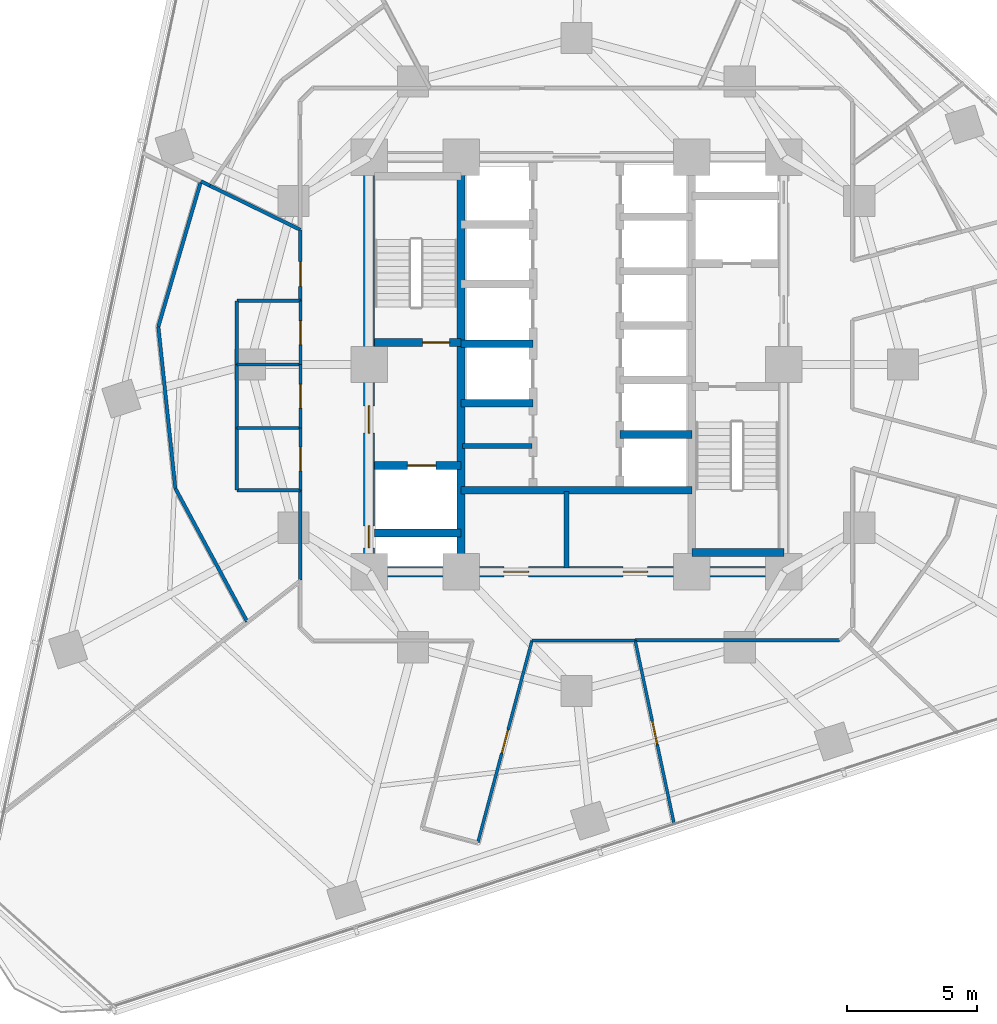
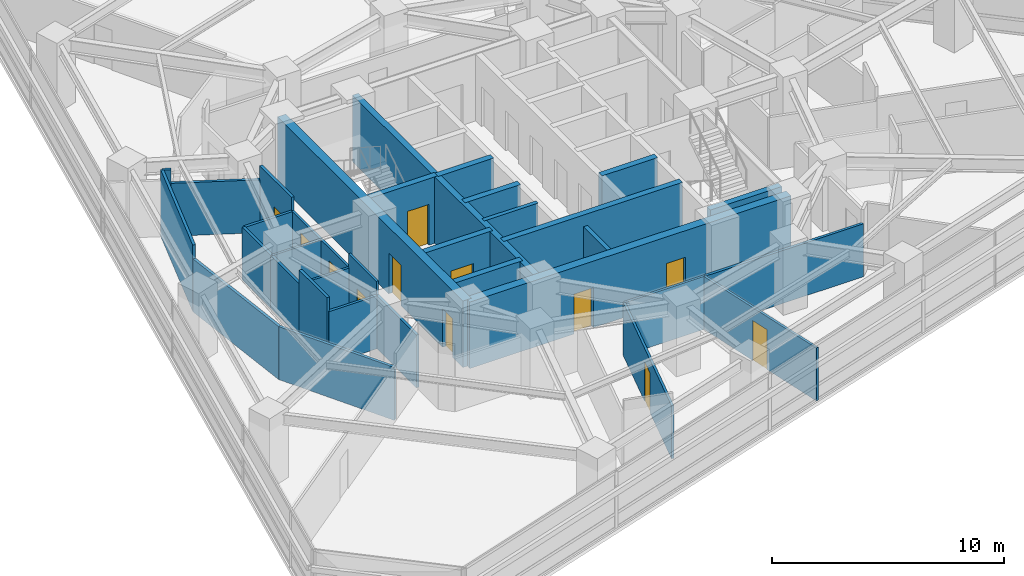
# One storey, part 7 of 13: 34 walls, 12 doors, 12 openings.
"""IFC4 building model written with IfcOpenShell, lengths in metres."""

from ifc_helpers import new_model, si_unit, direction, frame, frame_2d, origin, place, context, subcontext, project, spatial, rectangle, extrude, material, layer, layer_set, type_object, element, fill, save


model = new_model("IFC4")

# Units and contexts
model_context = context("Model", 3, precision=1e-05, world=origin(), true_north=direction((0.0, 1.0)))
body_context = subcontext(model_context, "Body", "Model", "MODEL_VIEW")
ifc_project = project(units=[si_unit("LENGTHUNIT", "METRE"), si_unit("AREAUNIT", "SQUARE_METRE"), si_unit("VOLUMEUNIT", "CUBIC_METRE"), si_unit("PLANEANGLEUNIT", "RADIAN"), si_unit("MASSUNIT", "GRAM", prefix="KILO")], contexts=[model_context])

# Site, building, storey
site_placement = place(None, origin())
site = spatial("IfcSite", under=ifc_project, at=site_placement, CompositionType="ELEMENT")
building_placement = place(site_placement, origin())
building = spatial("IfcBuilding", under=site, at=building_placement, Name="Terralouvre Media Tower", CompositionType="ELEMENT")
storey_placement = place(building_placement, frame((0.0, 0.0, 101.39990234375)))
storey = spatial("IfcBuildingStorey", under=building, at=storey_placement, Name="L25", CompositionType="ELEMENT", Elevation=101.39990234375)

# Wall
ifc_material_1 = material(Name="Concrete C50/60", Category="concrete")
ifc_layer_1 = layer(ifc_material_1, 0.300048828125, Name="Core Internal Shaft Wall CW-300")
ifc_layer_set_1 = layer_set([ifc_layer_1], Name="Concrete C50/60")
wall_type_1 = type_object("IfcWallType", Name="Core Internal Shaft Wall CW-300", PredefinedType="SHEAR", material=ifc_layer_set_1)
wall_1_placement = place(storey_placement, frame((-4.449951171875, -7.7900390625, 0.0), z_axis=(0.0, 0.0, 1.0), x_axis=(0.0, 1.0, 0.0)))
element("IfcWall", 1, at=wall_1_placement, inside=storey, type_object=wall_type_1, Name="L25 Core Shaft Wall SPW", PredefinedType="SHEAR", context=body_context, shape_type="SweptSolid", body=[
    extrude(rectangle(XDim=15.580078125, YDim=0.300048828125, at=frame_2d((7.7900390625, 0.0))), origin(), (0.0, 0.0, 1.0), 3.5),
])

# Wall, opening, door
wall_2_placement = place(storey_placement, frame((-7.7900390625, 0.85009765625, 0.0), z_axis=(0.0, 0.0, 1.0), x_axis=(1.0, 0.0, 0.0)))
wall_2 = element("IfcWall", 2, at=wall_2_placement, inside=storey, type_object=wall_type_1, Name="L25 Core Shaft Wall ST1D", PredefinedType="SHEAR", context=body_context, shape_type="SweptSolid", body=[
    extrude(rectangle(XDim=3.340087890625, YDim=0.300048828125, at=frame_2d((1.669921875, 0.0))), origin(), (0.0, 0.0, 1.0), 3.5),
])
opening_1_placement = place(wall_2_placement, frame((1.85009765625, 0.0, 0.0)))
opening_1 = element("IfcOpeningElement", 3, at=opening_1_placement, cuts=wall_2, Name="Opening FD-01-105X215", PredefinedType="OPENING", context=body_context, shape_type="SweptSolid", body=[
    extrude(rectangle(XDim=1.050048828125, YDim=2.14990234375, at=frame_2d((0.52490234375, 1.074951171875))), frame((0.0, 0.159912109375, 0.0), z_axis=(0.0, -1.0, 0.0), x_axis=(1.0, 0.0, 0.0)), (0.0, 0.0, 1.0), 0.320068359375),
])
ifc_material_2 = material(Name="Galvanised steel fire-resisting leaf", Category="steel")
door_type_1 = type_object("IfcDoorType", Name="Stair and Firefighting Lobby Fire Door FD-01 (1050x2150)", OperationType="NOTDEFINED", PredefinedType="DOOR", material=ifc_material_2)
door_1_placement = place(opening_1_placement, origin())
door_1 = element("IfcDoor", 4, at=door_1_placement, inside=storey, type_object=door_type_1, Name="L25 ST-01 Exit Stair Door", OperationType="SINGLE_SWING_LEFT", OverallHeight=2.14990234375, OverallWidth=1.050048828125, PredefinedType="DOOR", context=body_context, shape_type="SweptSolid", body=[
    extrude(rectangle(XDim=1.050048828125, YDim=2.14990234375, at=frame_2d((0.52490234375, 1.074951171875))), frame((0.0, 0.02490234375, 0.0), z_axis=(0.0, -1.0, 0.0), x_axis=(1.0, 0.0, 0.0)), (0.0, 0.0, 1.0), 0.050048828125),
])
fill(opening_1, door_1)

# Wall
wall_3_placement = place(storey_placement, frame((4.449951171875, -7.260009765625, 0.0), z_axis=(0.0, 0.0, 1.0), x_axis=(1.0, 0.0, 0.0)))
element("IfcWall", 5, at=wall_3_placement, inside=storey, type_object=wall_type_1, Name="L25 Core Shaft Wall ST2F", PredefinedType="SHEAR", context=body_context, shape_type="SweptSolid", body=[
    extrude(rectangle(XDim=3.550048828125, YDim=0.300048828125, at=frame_2d((1.77490234375, 0.0))), origin(), (0.0, 0.0, 1.0), 3.5),
])

# Wall, opening, door
wall_4_placement = place(storey_placement, frame((-7.7900390625, -3.89990234375, 0.0), z_axis=(0.0, 0.0, 1.0), x_axis=(1.0, 0.0, 0.0)))
wall_4 = element("IfcWall", 6, at=wall_4_placement, inside=storey, type_object=wall_type_1, Name="L25 Core Shaft Wall FF1N", PredefinedType="SHEAR", context=body_context, shape_type="SweptSolid", body=[
    extrude(rectangle(XDim=3.340087890625, YDim=0.300048828125, at=frame_2d((1.669921875, 0.0))), origin(), (0.0, 0.0, 1.0), 3.5),
])
opening_2_placement = place(wall_4_placement, frame((1.27001953125, 0.0, 0.0)))
opening_2 = element("IfcOpeningElement", 7, at=opening_2_placement, cuts=wall_4, Name="Opening LD-FF", PredefinedType="OPENING", context=body_context, shape_type="SweptSolid", body=[
    extrude(rectangle(XDim=1.10009765625, YDim=2.10009765625, at=frame_2d((0.550048828125, 1.050048828125))), frame((0.0, 0.159912109375, 0.0), z_axis=(0.0, -1.0, 0.0), x_axis=(1.0, 0.0, 0.0)), (0.0, 0.0, 1.0), 0.320068359375),
])
ifc_material_3 = material(Name="Stainless steel 316 handrail and balustrade", Category="steel")
door_type_2 = type_object("IfcDoorType", Name="Firefighting Lift Sliding Landing Door LD-FF", OperationType="SLIDING_TO_LEFT", PredefinedType="DOOR", material=ifc_material_3)
door_2_placement = place(opening_2_placement, origin())
door_2 = element("IfcDoor", 8, at=door_2_placement, inside=storey, type_object=door_type_2, Name="L25 Firefighting Lift FFL-01 Landing Door", OperationType="SLIDING_TO_LEFT", OverallHeight=2.10009765625, OverallWidth=1.10009765625, PredefinedType="DOOR", context=body_context, shape_type="SweptSolid", body=[
    extrude(rectangle(XDim=1.10009765625, YDim=2.10009765625, at=frame_2d((0.550048828125, 1.050048828125))), frame((0.0, 0.02490234375, 0.0), z_axis=(0.0, -1.0, 0.0), x_axis=(1.0, 0.0, 0.0)), (0.0, 0.0, 1.0), 0.050048828125),
])
fill(opening_2, door_2)

# Walls
wall_5_placement = place(storey_placement, frame((-7.7900390625, -6.5, 0.0), z_axis=(0.0, 0.0, 1.0), x_axis=(1.0, 0.0, 0.0)))
element("IfcWall", 9, at=wall_5_placement, inside=storey, type_object=wall_type_1, Name="L25 Core Shaft Wall FF1S", PredefinedType="SHEAR", context=body_context, shape_type="SweptSolid", body=[
    extrude(rectangle(XDim=3.340087890625, YDim=0.300048828125, at=frame_2d((1.669921875, 0.0))), origin(), (0.0, 0.0, 1.0), 3.5),
])
wall_6_placement = place(storey_placement, frame((-4.449951171875, -4.85009765625, 0.0), z_axis=(0.0, 0.0, 1.0), x_axis=(1.0, 0.0, 0.0)))
element("IfcWall", 10, at=wall_6_placement, inside=storey, type_object=wall_type_1, Name="L25 Core Shaft Wall CSBN", PredefinedType="SHEAR", context=body_context, shape_type="SweptSolid", body=[
    extrude(rectangle(XDim=8.89990234375, YDim=0.300048828125, at=frame_2d((4.449951171875, 0.0))), origin(), (0.0, 0.0, 1.0), 3.5),
])
for number, where, z_axis, x_axis, name in (
    (11, (-4.449951171875, -1.5, 0.0), (0.0, 0.0, 1.0), (1.0, 0.0, 0.0), "L25 Core Shaft Wall PLLD0"),
    (12, (-4.449951171875, 0.800048828125, 0.0), (0.0, 0.0, 1.0), (1.0, 0.0, 0.0), "L25 Core Shaft Wall PLLD1"),
    (13, (1.679931640625, -2.699951171875, 0.0), (0.0, 0.0, 1.0), (1.0, 0.0, 0.0), "L25 Core Shaft Wall PLHD1"),
):
    element("IfcWall", number, at=place(storey_placement, frame(where, z_axis=z_axis, x_axis=x_axis)), inside=storey, type_object=wall_type_1, Name=name, PredefinedType="SHEAR", context=body_context, shape_type="SweptSolid", body=[
        extrude(rectangle(XDim=2.77001953125, YDim=0.300048828125, at=frame_2d((1.385009765625, 0.0))), origin(), (0.0, 0.0, 1.0), 3.5),
    ])

# Wall, openings, doors
ifc_material_4 = material(Name="Concrete C60/75", Category="concrete")
ifc_layer_2 = layer(ifc_material_4, 0.419921875, Name="Core Reinforced Concrete Shear Wall CW-420")
ifc_layer_set_2 = layer_set([ifc_layer_2], Name="Concrete C60/75")
wall_type_2 = type_object("IfcWallType", Name="Core Reinforced Concrete Shear Wall CW-420", PredefinedType="SHEAR", material=ifc_layer_set_2)
wall_7_placement = place(storey_placement, frame((-8.0, -8.0, 0.0), z_axis=(0.0, 0.0, 1.0), x_axis=(0.0, 1.0, 0.0)))
wall_7 = element("IfcWall", 14, at=wall_7_placement, inside=storey, type_object=wall_type_2, Name="L25 W Core Shear Wall", PredefinedType="SHEAR", context=body_context, shape_type="SweptSolid", body=[
    extrude(rectangle(XDim=16.0, YDim=0.419921875, at=frame_2d((8.0, 0.0))), origin(), (0.0, 0.0, 1.0), 3.5),
])
opening_3_placement = place(wall_7_placement, frame((0.921630859375, 0.0, 0.0)))
opening_3 = element("IfcOpeningElement", 15, at=opening_3_placement, cuts=wall_7, Name="Opening TD-R1", PredefinedType="OPENING", context=body_context, shape_type="SweptSolid", body=[
    extrude(rectangle(XDim=0.85009765625, YDim=2.02001953125, at=frame_2d((0.425048828125, 1.010009765625))), frame((0.0, 0.219970703125, 0.0), z_axis=(0.0, -1.0, 0.0), x_axis=(1.0, 0.0, 0.0)), (0.0, 0.0, 1.0), 0.43994140625),
])
opening_4_placement = place(wall_7_placement, frame((5.35009765625, 0.0, 0.0)))
opening_4 = element("IfcOpeningElement", 16, at=opening_4_placement, cuts=wall_7, Name="Opening FD-01-105X215", PredefinedType="OPENING", context=body_context, shape_type="SweptSolid", body=[
    extrude(rectangle(XDim=1.050048828125, YDim=2.14990234375, at=frame_2d((0.52490234375, 1.074951171875))), frame((0.0, 0.219970703125, 0.0), z_axis=(0.0, -1.0, 0.0), x_axis=(1.0, 0.0, 0.0)), (0.0, 0.0, 1.0), 0.43994140625),
])
ifc_material_5 = material(Name="Galvanised steel fire-resisting leaf", Category="steel")
door_type_3 = type_object("IfcDoorType", Name="Riser Inspection Access Trapdoor TD-R1", OperationType="NOTDEFINED", PredefinedType="TRAPDOOR", material=ifc_material_5)
door_3_placement = place(opening_3_placement, origin())
door_3 = element("IfcDoor", 17, at=door_3_placement, inside=storey, type_object=door_type_3, Name="L25 Wet Riser Access Trapdoor", OperationType="SINGLE_SWING_LEFT", OverallHeight=2.02001953125, OverallWidth=0.85009765625, PredefinedType="TRAPDOOR", context=body_context, shape_type="SweptSolid", body=[
    extrude(rectangle(XDim=0.85009765625, YDim=2.02001953125, at=frame_2d((0.425048828125, 1.010009765625))), frame((0.0, 0.02490234375, 0.0), z_axis=(0.0, -1.0, 0.0), x_axis=(1.0, 0.0, 0.0)), (0.0, 0.0, 1.0), 0.050048828125),
])
fill(opening_3, door_3)
door_4_placement = place(opening_4_placement, origin())
door_4 = element("IfcDoor", 18, at=door_4_placement, inside=storey, type_object=door_type_1, Name="L25 West Firefighting Lobby Entry Door", OperationType="SINGLE_SWING_RIGHT", OverallHeight=2.14990234375, OverallWidth=1.050048828125, PredefinedType="DOOR", context=body_context, shape_type="SweptSolid", body=[
    extrude(rectangle(XDim=1.050048828125, YDim=2.14990234375, at=frame_2d((0.52490234375, 1.074951171875))), frame((0.0, 0.02490234375, 0.0), z_axis=(0.0, -1.0, 0.0), x_axis=(1.0, 0.0, 0.0)), (0.0, 0.0, 1.0), 0.050048828125),
])
fill(opening_4, door_4)

wall_8_placement = place(storey_placement, frame((-8.0, -8.0, 0.0), z_axis=(0.0, 0.0, 1.0), x_axis=(1.0, 0.0, 0.0)))
wall_8 = element("IfcWall", 19, at=wall_8_placement, inside=storey, type_object=wall_type_2, Name="L25 S Core Shear Wall", PredefinedType="SHEAR", context=body_context, shape_type="SweptSolid", body=[
    extrude(rectangle(XDim=16.0, YDim=0.419921875, at=frame_2d((8.0, 0.0))), origin(), (0.0, 0.0, 1.0), 3.5),
])
opening_5_placement = place(wall_8_placement, frame((5.199951171875, 0.0, 0.0)))
opening_5 = element("IfcOpeningElement", 20, at=opening_5_placement, cuts=wall_8, Name="Opening FD-02-95X210", PredefinedType="OPENING", context=body_context, shape_type="SweptSolid", body=[
    extrude(rectangle(XDim=0.949951171875, YDim=2.10009765625, at=frame_2d((0.47509765625, 1.050048828125))), frame((0.0, 0.219970703125, 0.0), z_axis=(0.0, -1.0, 0.0), x_axis=(1.0, 0.0, 0.0)), (0.0, 0.0, 1.0), 0.43994140625),
])
opening_6_placement = place(wall_8_placement, frame((9.800048828125, 0.0, 0.0)))
opening_6 = element("IfcOpeningElement", 21, at=opening_6_placement, cuts=wall_8, Name="Opening FD-02-95X210", PredefinedType="OPENING", context=body_context, shape_type="SweptSolid", body=[
    extrude(rectangle(XDim=0.949951171875, YDim=2.10009765625, at=frame_2d((0.47509765625, 1.050048828125))), frame((0.0, 0.219970703125, 0.0), z_axis=(0.0, -1.0, 0.0), x_axis=(1.0, 0.0, 0.0)), (0.0, 0.0, 1.0), 0.43994140625),
])
ifc_material_6 = material(Name="Galvanised steel fire-resisting leaf", Category="steel")
door_type_4 = type_object("IfcDoorType", Name="Plant and Riser Fire Door FD-02 (950x2100)", OperationType="NOTDEFINED", PredefinedType="DOOR", material=ifc_material_6)
door_5_placement = place(opening_5_placement, origin())
door_5 = element("IfcDoor", 22, at=door_5_placement, inside=storey, type_object=door_type_4, Name="L25 Core Valve Plant Door", OperationType="SINGLE_SWING_LEFT", OverallHeight=2.10009765625, OverallWidth=0.949951171875, PredefinedType="DOOR", context=body_context, shape_type="SweptSolid", body=[
    extrude(rectangle(XDim=0.949951171875, YDim=2.10009765625, at=frame_2d((0.47509765625, 1.050048828125))), frame((0.0, 0.02490234375, 0.0), z_axis=(0.0, -1.0, 0.0), x_axis=(1.0, 0.0, 0.0)), (0.0, 0.0, 1.0), 0.050048828125),
])
fill(opening_5, door_5)
door_6_placement = place(opening_6_placement, origin())
door_6 = element("IfcDoor", 23, at=door_6_placement, inside=storey, type_object=door_type_4, Name="L25 Core MDF Plant Door", OperationType="SINGLE_SWING_RIGHT", OverallHeight=2.10009765625, OverallWidth=0.949951171875, PredefinedType="DOOR", context=body_context, shape_type="SweptSolid", body=[
    extrude(rectangle(XDim=0.949951171875, YDim=2.10009765625, at=frame_2d((0.47509765625, 1.050048828125))), frame((0.0, 0.02490234375, 0.0), z_axis=(0.0, -1.0, 0.0), x_axis=(1.0, 0.0, 0.0)), (0.0, 0.0, 1.0), 0.050048828125),
])
fill(opening_6, door_6)

# Walls
ifc_material_7 = material(Name="Fire-rated gypsum board drywall partition")
ifc_layer_3 = layer(ifc_material_7, 0.199951171875, Name="Fire-Rated Shaft and Lobby Partition FW-200")
ifc_layer_set_3 = layer_set([ifc_layer_3], Name="Fire-rated gypsum board drywall partition")
wall_type_3 = type_object("IfcWallType", Name="Fire-Rated Shaft and Lobby Partition FW-200", PredefinedType="SOLIDWALL", material=ifc_layer_set_3)
wall_9_placement = place(storey_placement, frame((-0.3798828125, -7.85009765625, 0.0), z_axis=(0.0, 0.0, 1.0), x_axis=(0.0, 1.0, 0.0)))
element("IfcWall", 24, at=wall_9_placement, inside=storey, type_object=wall_type_3, Name="L25 Core Service Bay Partition 1", PredefinedType="SOLIDWALL", context=body_context, shape_type="SweptSolid", body=[
    extrude(rectangle(XDim=2.9501953125, YDim=0.199951171875, at=frame_2d((1.47509765625, 0.0))), origin(), (0.0, 0.0, 1.0), 2.885009765625),
])
wall_10_placement = place(storey_placement, frame((-4.39990234375, -3.139892578125, 0.0), z_axis=(0.0, 0.0, 1.0), x_axis=(1.0, 0.0, 0.0)))
element("IfcWall", 25, at=wall_10_placement, inside=storey, type_object=wall_type_3, Name="L25 Core West Sub-Partition 1", PredefinedType="SOLIDWALL", context=body_context, shape_type="SweptSolid", body=[
    extrude(rectangle(XDim=2.679931640625, YDim=0.199951171875, at=frame_2d((1.33984375, 0.0))), origin(), (0.0, 0.0, 1.0), 3.5),
])
ifc_material_8 = material(Name="Fire-rated gypsum board drywall partition")
ifc_layer_4 = layer(ifc_material_8, 0.135009765625, Name="Newsroom Acoustic Partition PT-135")
ifc_layer_set_4 = layer_set([ifc_layer_4], Name="Fire-rated gypsum board drywall partition")
wall_type_4 = type_object("IfcWallType", Name="Newsroom Acoustic Partition PT-135", PredefinedType="PARTITIONING", material=ifc_layer_set_4)
wall_11_placement = place(storey_placement, frame((-10.64990234375, -4.85009765625, 0.0), z_axis=(0.0, 0.0, 1.0), x_axis=(0.0, -1.0, 0.0)))
element("IfcWall", 26, at=wall_11_placement, inside=storey, type_object=wall_type_4, Name="L25 Interior Partition 021", PredefinedType="PARTITIONING", context=body_context, shape_type="SweptSolid", body=[
    extrude(rectangle(XDim=3.470947265625, YDim=0.135009765625, at=frame_2d((1.7353515625, 0.0))), origin(), (0.0, 0.0, 1.0), 2.78515625),
])

# Wall, opening, door
wall_12_placement = place(storey_placement, frame((-10.64990234375, 5.194091796875, 0.0), z_axis=(0.0, 0.0, 1.0), x_axis=(0.0, -1.0, 0.0)))
wall_12 = element("IfcWall", 27, at=wall_12_placement, inside=storey, type_object=wall_type_4, Name="L25 Interior Partition 022", PredefinedType="PARTITIONING", context=body_context, shape_type="SweptSolid", body=[
    extrude(rectangle(XDim=2.744140625, YDim=0.135009765625, at=frame_2d((1.3720703125, 0.0))), origin(), (0.0, 0.0, 1.0), 3.5),
])
opening_7_placement = place(wall_12_placement, frame((1.226318359375, 0.0, 0.0)))
opening_7 = element("IfcOpeningElement", 28, at=opening_7_placement, cuts=wall_12, Name="Opening ID-02-95X210", PredefinedType="OPENING", context=body_context, shape_type="SweptSolid", body=[
    extrude(rectangle(XDim=0.949951171875, YDim=2.10009765625, at=frame_2d((0.47509765625, 1.050048828125))), frame((0.0, 0.077392578125, 0.0), z_axis=(0.0, -1.0, 0.0), x_axis=(1.0, 0.0, 0.0)), (0.0, 0.0, 1.0), 0.155029296875),
])
ifc_material_9 = material(Name="Engineered hardwood acoustic timber leaf", Category="wood")
door_type_5 = type_object("IfcDoorType", Name="Office and Meeting Room Door ID-02 (950x2100)", OperationType="NOTDEFINED", PredefinedType="DOOR", material=ifc_material_9)
door_7_placement = place(opening_7_placement, origin())
door_7 = element("IfcDoor", 29, at=door_7_placement, inside=storey, type_object=door_type_5, Name="L25 Gym Equipment Closet 6 Door", OperationType="SINGLE_SWING_LEFT", OverallHeight=2.10009765625, OverallWidth=0.949951171875, PredefinedType="DOOR", context=body_context, shape_type="SweptSolid", body=[
    extrude(rectangle(XDim=0.949951171875, YDim=2.10009765625, at=frame_2d((0.47509765625, 1.050048828125))), frame((0.0, 0.02490234375, 0.0), z_axis=(0.0, -1.0, 0.0), x_axis=(1.0, 0.0, 0.0)), (0.0, 0.0, 1.0), 0.050048828125),
])
fill(opening_7, door_7)

# Walls
wall_13_placement = place(storey_placement, frame((2.263916015625, -10.64990234375, 0.0), z_axis=(0.0, 0.0, 1.0), x_axis=(1.0, 0.0, 0.0)))
element("IfcWall", 30, at=wall_13_placement, inside=storey, type_object=wall_type_4, Name="L25 Interior Partition 025", PredefinedType="PARTITIONING", context=body_context, shape_type="SweptSolid", body=[
    extrude(rectangle(XDim=7.885986328125, YDim=0.135009765625, at=frame_2d((3.94287109375, 0.0))), origin(), (0.0, 0.0, 1.0), 2.78515625),
])
wall_14_placement = place(storey_placement, frame((-13.10009765625, -2.449951171875, 0.0), z_axis=(0.0, 0.0, 1.0), x_axis=(0.0, 1.0, 0.0)))
element("IfcWall", 31, at=wall_14_placement, inside=storey, type_object=wall_type_4, Name="L25 Interior Partition 048", PredefinedType="PARTITIONING", context=body_context, shape_type="SweptSolid", body=[
    extrude(rectangle(XDim=2.449951171875, YDim=0.135009765625, at=frame_2d((1.22509765625, 0.0))), origin(), (0.0, 0.0, 1.0), 2.78515625),
])
wall_15_placement = place(storey_placement, frame((-10.64990234375, -4.85009765625, 0.0), z_axis=(0.0, 0.0, 1.0), x_axis=(-1.0, 0.0, 0.0)))
element("IfcWall", 32, at=wall_15_placement, inside=storey, type_object=wall_type_4, Name="L25 Interior Partition 049", PredefinedType="PARTITIONING", context=body_context, shape_type="SweptSolid", body=[
    extrude(rectangle(XDim=2.4501953125, YDim=0.135009765625, at=frame_2d((1.22509765625, 0.0))), origin(), (0.0, 0.0, 1.0), 2.78515625),
])
wall_16_placement = place(storey_placement, frame((-13.10009765625, -4.85009765625, 0.0), z_axis=(0.0, 0.0, 1.0), x_axis=(0.0, 1.0, 0.0)))
element("IfcWall", 33, at=wall_16_placement, inside=storey, type_object=wall_type_4, Name="L25 Interior Partition 050", PredefinedType="PARTITIONING", context=body_context, shape_type="SweptSolid", body=[
    extrude(rectangle(XDim=2.400146484375, YDim=0.135009765625, at=frame_2d((1.2001953125, 0.0))), origin(), (0.0, 0.0, 1.0), 3.5),
])
wall_17_placement = place(storey_placement, frame((-14.490966796875, 7.068115234375, 0.0), z_axis=(0.0, 0.0, 1.0), x_axis=(-0.28111457881, -0.95967421221, 0.0)))
element("IfcWall", 34, at=wall_17_placement, inside=storey, type_object=wall_type_4, Name="L25 Interior Partition 051", PredefinedType="PARTITIONING", context=body_context, shape_type="SweptSolid", body=[
    extrude(rectangle(XDim=5.8447265625, YDim=0.135009765625, at=frame_2d((2.92236328125, 0.0))), origin(), (0.0, 0.0, 1.0), 3.5),
])
wall_18_placement = place(storey_placement, frame((-16.134033203125, 1.458984375, 0.0), z_axis=(0.0, 0.0, 1.0), x_axis=(0.104553126753, -0.994519302822, 0.0)))
element("IfcWall", 35, at=wall_18_placement, inside=storey, type_object=wall_type_4, Name="L25 Interior Partition 052", PredefinedType="PARTITIONING", context=body_context, shape_type="SweptSolid", body=[
    extrude(rectangle(XDim=6.2744140625, YDim=0.135009765625, at=frame_2d((3.13720703125, 0.0))), origin(), (0.0, 0.0, 1.0), 2.78515625),
])
wall_19_placement = place(storey_placement, frame((-15.47802734375, -4.781005859375, 0.0), z_axis=(0.0, 0.0, 1.0), x_axis=(0.47456801742, -0.880218834633, 0.0)))
element("IfcWall", 36, at=wall_19_placement, inside=storey, type_object=wall_type_4, Name="L25 Interior Partition 053", PredefinedType="PARTITIONING", context=body_context, shape_type="SweptSolid", body=[
    extrude(rectangle(XDim=5.84521484375, YDim=0.135009765625, at=frame_2d((2.922607421875, 0.0))), origin(), (0.0, 0.0, 1.0), 2.78515625),
])
wall_20_placement = place(storey_placement, frame((-14.14208984375, 6.89794921875, 0.0), z_axis=(0.0, 0.0, 1.0), x_axis=(-0.898786579289, 0.438386456098, 0.0)))
element("IfcWall", 37, at=wall_20_placement, inside=storey, type_object=wall_type_4, Name="L25 Interior Partition 054", PredefinedType="PARTITIONING", context=body_context, shape_type="SweptSolid", body=[
    extrude(rectangle(XDim=0.38818359375, YDim=0.135009765625, at=frame_2d((0.194091796875, 0.0))), origin(), (0.0, 0.0, 1.0), 3.5),
])
wall_21_placement = place(storey_placement, frame((-10.64990234375, 5.194091796875, 0.0), z_axis=(0.0, 0.0, 1.0), x_axis=(-0.898732815367, 0.438496666558, 0.0)))
element("IfcWall", 38, at=wall_21_placement, inside=storey, type_object=wall_type_4, Name="L25 Interior Partition 055", PredefinedType="PARTITIONING", context=body_context, shape_type="SweptSolid", body=[
    extrude(rectangle(XDim=3.8857421875, YDim=0.135009765625, at=frame_2d((1.94287109375, 0.0))), origin(), (0.0, 0.0, 1.0), 2.78515625),
])
wall_22_placement = place(storey_placement, frame((-13.10009765625, 0.0, 0.0), z_axis=(0.0, 0.0, 1.0), x_axis=(0.0, 1.0, 0.0)))
element("IfcWall", 39, at=wall_22_placement, inside=storey, type_object=wall_type_4, Name="L25 Interior Partition 056", PredefinedType="PARTITIONING", context=body_context, shape_type="SweptSolid", body=[
    extrude(rectangle(XDim=2.449951171875, YDim=0.135009765625, at=frame_2d((1.22509765625, 0.0))), origin(), (0.0, 0.0, 1.0), 2.78515625),
])
wall_23_placement = place(storey_placement, frame((-13.10009765625, 2.449951171875, 0.0), z_axis=(0.0, 0.0, 1.0), x_axis=(1.0, 0.0, 0.0)))
element("IfcWall", 40, at=wall_23_placement, inside=storey, type_object=wall_type_4, Name="L25 Interior Partition 057", PredefinedType="PARTITIONING", context=body_context, shape_type="SweptSolid", body=[
    extrude(rectangle(XDim=2.4501953125, YDim=0.135009765625, at=frame_2d((1.22509765625, 0.0))), origin(), (0.0, 0.0, 1.0), 2.78515625),
])

# Wall, opening, door
ifc_material_10 = material(Name="Fire-rated gypsum board drywall partition")
ifc_layer_5 = layer(ifc_material_10, 0.114990234375, Name="Restroom and Pantry Partition PT-115")
ifc_layer_set_5 = layer_set([ifc_layer_5], Name="Fire-rated gypsum board drywall partition")
wall_type_5 = type_object("IfcWallType", Name="Restroom and Pantry Partition PT-115", PredefinedType="PARTITIONING", material=ifc_layer_set_5)
wall_24_placement = place(storey_placement, frame((-3.802978515625, -18.444091796875, 0.0), z_axis=(0.0, 0.0, 1.0), x_axis=(0.258754737882, 0.965943055062, 0.0)))
wall_24 = element("IfcWall", 41, at=wall_24_placement, inside=storey, type_object=wall_type_5, Name="L25 Interior Partition 006", PredefinedType="PARTITIONING", context=body_context, shape_type="SweptSolid", body=[
    extrude(rectangle(XDim=8.069091796875, YDim=0.114990234375, at=frame_2d((4.03466796875, 0.0))), origin(), (0.0, 0.0, 1.0), 2.78515625),
])
opening_8_placement = place(wall_24_placement, frame((3.559326171875, 0.0, 0.0)))
opening_8 = element("IfcOpeningElement", 42, at=opening_8_placement, cuts=wall_24, Name="Opening SD-01-95X210", PredefinedType="OPENING", context=body_context, shape_type="SweptSolid", body=[
    extrude(rectangle(XDim=0.949951171875, YDim=2.10009765625, at=frame_2d((0.47509765625, 1.050048828125))), frame((0.0, 0.0673828125, 0.0), z_axis=(0.0, -1.0, 0.0), x_axis=(1.0, 0.0, 0.0)), (0.0, 0.0, 1.0), 0.135009765625),
])
ifc_material_11 = material(Name="Anodised extruded aluminium 6063-T6", Category="aluminium")
door_type_6 = type_object("IfcDoorType", Name="Pantry Pocket Sliding Door SD-01 (950x2100)", OperationType="SLIDING_TO_LEFT", PredefinedType="DOOR", material=ifc_material_11)
door_8_placement = place(opening_8_placement, origin())
door_8 = element("IfcDoor", 43, at=door_8_placement, inside=storey, type_object=door_type_6, Name="L25 Nutrition Tea Pantry 1 Door", OperationType="SLIDING_TO_LEFT", OverallHeight=2.10009765625, OverallWidth=0.949951171875, PredefinedType="DOOR", context=body_context, shape_type="SweptSolid", body=[
    extrude(rectangle(XDim=0.949951171875, YDim=2.10009765625, at=frame_2d((0.47509765625, 1.050048828125))), frame((0.0, 0.02490234375, 0.0), z_axis=(0.0, -1.0, 0.0), x_axis=(1.0, 0.0, 0.0)), (0.0, 0.0, 1.0), 0.050048828125),
])
fill(opening_8, door_8)

# Wall
wall_25_placement = place(storey_placement, frame((-1.715087890625, -10.64990234375, 0.0), z_axis=(0.0, 0.0, 1.0), x_axis=(1.0, 0.0, 0.0)))
element("IfcWall", 44, at=wall_25_placement, inside=storey, type_object=wall_type_5, Name="L25 Interior Partition 007", PredefinedType="PARTITIONING", context=body_context, shape_type="SweptSolid", body=[
    extrude(rectangle(XDim=3.97900390625, YDim=0.114990234375, at=frame_2d((1.989501953125, 0.0))), origin(), (0.0, 0.0, 1.0), 2.78515625),
])

# Wall, opening, door
wall_26_placement = place(storey_placement, frame((-10.64990234375, 0.0, 0.0), z_axis=(0.0, 0.0, 1.0), x_axis=(0.0, -1.0, 0.0)))
wall_26 = element("IfcWall", 45, at=wall_26_placement, inside=storey, type_object=wall_type_5, Name="L25 Interior Partition 023", PredefinedType="PARTITIONING", context=body_context, shape_type="SweptSolid", body=[
    extrude(rectangle(XDim=2.449951171875, YDim=0.114990234375, at=frame_2d((1.22509765625, 0.0))), origin(), (0.0, 0.0, 1.0), 2.78515625),
])
opening_9_placement = place(wall_26_placement, frame((0.764892578125, 0.0, 0.0)))
opening_9 = element("IfcOpeningElement", 46, at=opening_9_placement, cuts=wall_26, Name="Opening ID-03-92X210", PredefinedType="OPENING", context=body_context, shape_type="SweptSolid", body=[
    extrude(rectangle(XDim=0.919921875, YDim=2.10009765625, at=frame_2d((0.4599609375, 1.050048828125))), frame((0.0, 0.0673828125, 0.0), z_axis=(0.0, -1.0, 0.0), x_axis=(1.0, 0.0, 0.0)), (0.0, 0.0, 1.0), 0.135009765625),
])
ifc_material_12 = material(Name="Engineered hardwood acoustic timber leaf", Category="wood")
door_type_7 = type_object("IfcDoorType", Name="Accessible Restroom and Suite Door ID-03 (920x2100)", OperationType="NOTDEFINED", PredefinedType="DOOR", material=ifc_material_12)
door_9_placement = place(opening_9_placement, origin())
door_9 = element("IfcDoor", 47, at=door_9_placement, inside=storey, type_object=door_type_7, Name="L25 Female Restroom WC Door", OperationType="SINGLE_SWING_RIGHT", OverallHeight=2.10009765625, OverallWidth=0.919921875, PredefinedType="DOOR", context=body_context, shape_type="SweptSolid", body=[
    extrude(rectangle(XDim=0.919921875, YDim=2.10009765625, at=frame_2d((0.4599609375, 1.050048828125))), frame((0.0, 0.02490234375, 0.0), z_axis=(0.0, -1.0, 0.0), x_axis=(1.0, 0.0, 0.0)), (0.0, 0.0, 1.0), 0.050048828125),
])
fill(opening_9, door_9)

wall_27_placement = place(storey_placement, frame((-10.64990234375, -2.449951171875, 0.0), z_axis=(0.0, 0.0, 1.0), x_axis=(0.0, -1.0, 0.0)))
wall_27 = element("IfcWall", 48, at=wall_27_placement, inside=storey, type_object=wall_type_5, Name="L25 Interior Partition 024", PredefinedType="PARTITIONING", context=body_context, shape_type="SweptSolid", body=[
    extrude(rectangle(XDim=2.400146484375, YDim=0.114990234375, at=frame_2d((1.2001953125, 0.0))), origin(), (0.0, 0.0, 1.0), 3.5),
])
opening_10_placement = place(wall_27_placement, frame((0.739990234375, 0.0, 0.0)))
opening_10 = element("IfcOpeningElement", 49, at=opening_10_placement, cuts=wall_27, Name="Opening ID-03-92X210", PredefinedType="OPENING", context=body_context, shape_type="SweptSolid", body=[
    extrude(rectangle(XDim=0.919921875, YDim=2.10009765625, at=frame_2d((0.4599609375, 1.050048828125))), frame((0.0, 0.0673828125, 0.0), z_axis=(0.0, -1.0, 0.0), x_axis=(1.0, 0.0, 0.0)), (0.0, 0.0, 1.0), 0.135009765625),
])
door_10_placement = place(opening_10_placement, origin())
door_10 = element("IfcDoor", 50, at=door_10_placement, inside=storey, type_object=door_type_7, Name="L25 Male Restroom WC Door", OperationType="SINGLE_SWING_LEFT", OverallHeight=2.10009765625, OverallWidth=0.919921875, PredefinedType="DOOR", context=body_context, shape_type="SweptSolid", body=[
    extrude(rectangle(XDim=0.919921875, YDim=2.10009765625, at=frame_2d((0.4599609375, 1.050048828125))), frame((0.0, 0.02490234375, 0.0), z_axis=(0.0, -1.0, 0.0), x_axis=(1.0, 0.0, 0.0)), (0.0, 0.0, 1.0), 0.050048828125),
])
fill(opening_10, door_10)

wall_28_placement = place(storey_placement, frame((-10.64990234375, 2.449951171875, 0.0), z_axis=(0.0, 0.0, 1.0), x_axis=(0.0, -1.0, 0.0)))
wall_28 = element("IfcWall", 51, at=wall_28_placement, inside=storey, type_object=wall_type_5, Name="L25 Interior Partition 034", PredefinedType="PARTITIONING", context=body_context, shape_type="SweptSolid", body=[
    extrude(rectangle(XDim=2.449951171875, YDim=0.114990234375, at=frame_2d((1.22509765625, 0.0))), origin(), (0.0, 0.0, 1.0), 2.78515625),
])
opening_11_placement = place(wall_28_placement, frame((0.764892578125, 0.0, 0.0)))
opening_11 = element("IfcOpeningElement", 52, at=opening_11_placement, cuts=wall_28, Name="Opening ID-03-92X210", PredefinedType="OPENING", context=body_context, shape_type="SweptSolid", body=[
    extrude(rectangle(XDim=0.919921875, YDim=2.10009765625, at=frame_2d((0.4599609375, 1.050048828125))), frame((0.0, 0.0673828125, 0.0), z_axis=(0.0, -1.0, 0.0), x_axis=(1.0, 0.0, 0.0)), (0.0, 0.0, 1.0), 0.135009765625),
])
door_11_placement = place(opening_11_placement, origin())
door_11 = element("IfcDoor", 53, at=door_11_placement, inside=storey, type_object=door_type_7, Name="L25 Accessible Unisex WC Door", OperationType="SINGLE_SWING_LEFT", OverallHeight=2.10009765625, OverallWidth=0.919921875, PredefinedType="DOOR", context=body_context, shape_type="SweptSolid", body=[
    extrude(rectangle(XDim=0.919921875, YDim=2.10009765625, at=frame_2d((0.4599609375, 1.050048828125))), frame((0.0, 0.02490234375, 0.0), z_axis=(0.0, -1.0, 0.0), x_axis=(1.0, 0.0, 0.0)), (0.0, 0.0, 1.0), 0.050048828125),
])
fill(opening_11, door_11)

wall_29_placement = place(storey_placement, frame((3.7783203125, -17.7744140625, 0.0), z_axis=(0.0, 0.0, 1.0), x_axis=(-0.207917284361, 0.978146411773, 0.0)))
wall_29 = element("IfcWall", 54, at=wall_29_placement, inside=storey, type_object=wall_type_5, Name="L25 Interior Partition 037", PredefinedType="PARTITIONING", context=body_context, shape_type="SweptSolid", body=[
    extrude(rectangle(XDim=7.28369140625, YDim=0.114990234375, at=frame_2d((3.641845703125, 0.0))), origin(), (0.0, 0.0, 1.0), 2.78515625),
])
opening_12_placement = place(wall_29_placement, frame((3.181884765625, 0.0, 0.0)))
opening_12 = element("IfcOpeningElement", 55, at=opening_12_placement, cuts=wall_29, Name="Opening ID-03-92X210", PredefinedType="OPENING", context=body_context, shape_type="SweptSolid", body=[
    extrude(rectangle(XDim=0.919921875, YDim=2.10009765625, at=frame_2d((0.4599609375, 1.050048828125))), frame((0.0, 0.0673828125, 0.0), z_axis=(0.0, -1.0, 0.0), x_axis=(1.0, 0.0, 0.0)), (0.0, 0.0, 1.0), 0.135009765625),
])
door_12_placement = place(opening_12_placement, origin())
door_12 = element("IfcDoor", 56, at=door_12_placement, inside=storey, type_object=door_type_7, Name="L25 Health and Science Editorial Open Office 8 Door", OperationType="SINGLE_SWING_LEFT", OverallHeight=2.10009765625, OverallWidth=0.919921875, PredefinedType="DOOR", context=body_context, shape_type="SweptSolid", body=[
    extrude(rectangle(XDim=0.919921875, YDim=2.10009765625, at=frame_2d((0.4599609375, 1.050048828125))), frame((0.0, 0.02490234375, 0.0), z_axis=(0.0, -1.0, 0.0), x_axis=(1.0, 0.0, 0.0)), (0.0, 0.0, 1.0), 0.050048828125),
])
fill(opening_12, door_12)

# Walls
for number, where, z_axis, x_axis, name in (
    (57, (-13.10009765625, -2.449951171875, 0.0), (0.0, 0.0, 1.0), (1.0, 0.0, 0.0), "L25 Interior Partition 058"),
    (58, (-10.64990234375, 0.0, 0.0), (0.0, 0.0, 1.0), (-1.0, 0.0, 0.0), "L25 Interior Partition 059"),
):
    element("IfcWall", number, at=place(storey_placement, frame(where, z_axis=z_axis, x_axis=x_axis)), inside=storey, type_object=wall_type_5, Name=name, PredefinedType="PARTITIONING", context=body_context, shape_type="SweptSolid", body=[
        extrude(rectangle(XDim=2.4501953125, YDim=0.114990234375, at=frame_2d((1.22509765625, 0.0))), origin(), (0.0, 0.0, 1.0), 2.78515625),
    ])

save(model, "model.ifc")
